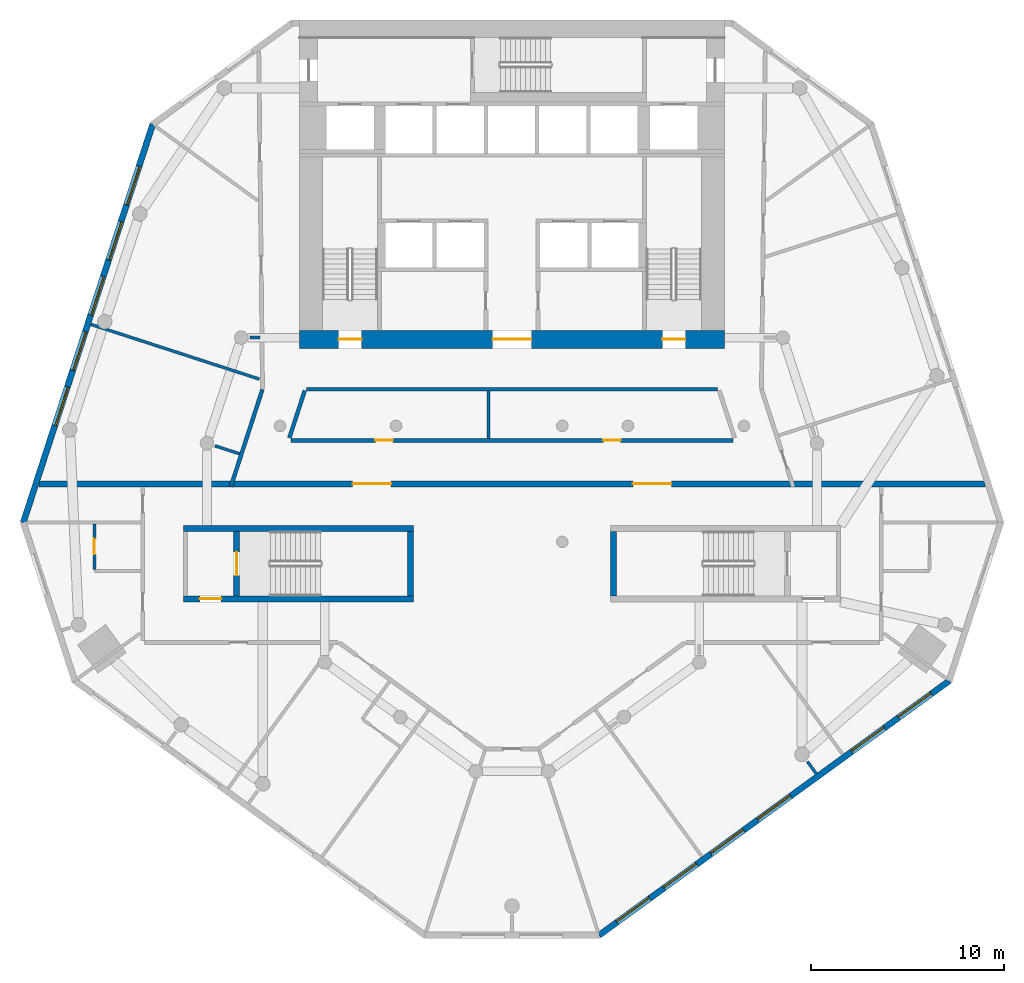
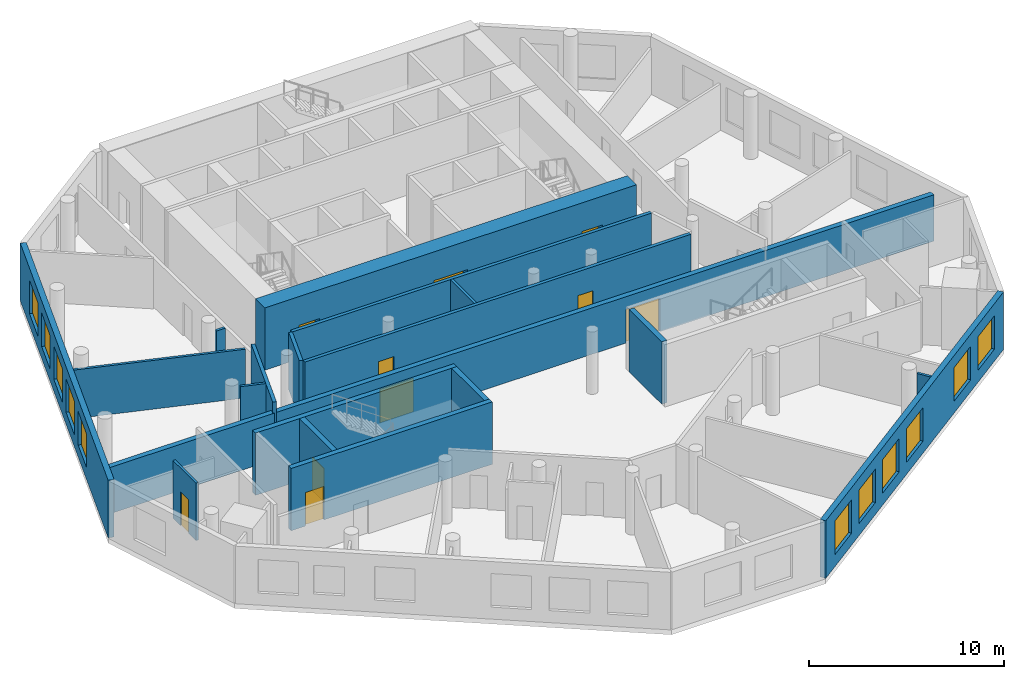
# One storey, part 3 of 8: 19 walls, 11 windows, 10 doors, 21 openings.
"""IFC4 building model written with IfcOpenShell, lengths in metres."""

from ifc_helpers import new_model, si_unit, direction, frame, frame_2d, origin, place, context, subcontext, project, spatial, rectangle, extrude, material, layer, layer_set, type_object, element, fill, save


model = new_model("IFC4")

# Units and contexts
model_context = context("Model", 3, precision=1e-05, world=origin(), true_north=direction((0.0, 1.0)))
body_context = subcontext(model_context, "Body", "Model", "MODEL_VIEW")
ifc_project = project(units=[si_unit("LENGTHUNIT", "METRE"), si_unit("AREAUNIT", "SQUARE_METRE"), si_unit("VOLUMEUNIT", "CUBIC_METRE"), si_unit("PLANEANGLEUNIT", "RADIAN"), si_unit("MASSUNIT", "GRAM", prefix="KILO")], contexts=[model_context])

# Site, building, storey
site_placement = place(None, origin())
site = spatial("IfcSite", under=ifc_project, at=site_placement, CompositionType="ELEMENT")
building_placement = place(site_placement, origin())
building = spatial("IfcBuilding", under=site, at=building_placement, Name="White Candle Pilgrim Tower", CompositionType="ELEMENT")
storey_placement = place(building_placement, frame((0.0, 0.0, 156.39990234375)))
storey = spatial("IfcBuildingStorey", under=building, at=storey_placement, Name="L35", CompositionType="ELEMENT", Elevation=156.39990234375)

# Wall
ifc_material_1 = material(Name="Gypsum board on steel studs", Category="steel")
ifc_layer_1 = layer(ifc_material_1, 0.199951171875)
ifc_layer_set_1 = layer_set([ifc_layer_1], Name="Corridor wall 200 mm EI 45")
wall_type_1 = type_object("IfcWallType", Name="Corridor wall 200 mm EI 45", PredefinedType="PARTITIONING", material=ifc_layer_set_1)
wall_1_placement = place(storey_placement, frame((55.45263671875, 63.85009765625, 0.0), z_axis=(0.0, 0.0, 1.0), x_axis=(0.309009941901, 0.951058807754, 0.0)))
element("IfcWall", 1, at=wall_1_placement, inside=storey, type_object=wall_type_1, Name="WL-L35-P002", PredefinedType="PARTITIONING", context=body_context, shape_type="SweptSolid", body=[
    extrude(rectangle(XDim=5.29345703125, YDim=0.199951171875, at=frame_2d((2.646728515625, 0.0))), origin(), (0.0, 0.0, 1.0), 3.60009765625),
])

# Wall, openings, doors
wall_2_placement = place(storey_placement, frame((58.578125, 66.25, 0.0), z_axis=(0.0, 0.0, 1.0), x_axis=(1.0, 0.0, 0.0)))
wall_2 = element("IfcWall", 2, at=wall_2_placement, inside=storey, type_object=wall_type_1, Name="WL-L35-P013", PredefinedType="PARTITIONING", context=body_context, shape_type="SweptSolid", body=[
    extrude(rectangle(XDim=22.84375, YDim=0.199951171875, at=frame_2d((11.421875, 0.0))), origin(), (0.0, 0.0, 1.0), 3.60009765625),
])
opening_1_placement = place(wall_2_placement, frame((4.359130859375, 0.0, 0.0)))
opening_1 = element("IfcOpeningElement", 3, at=opening_1_placement, cuts=wall_2, Name="Opening T10-115", PredefinedType="OPENING", context=body_context, shape_type="SweptSolid", body=[
    extrude(rectangle(XDim=0.89990234375, YDim=2.10009765625, at=frame_2d((0.449951171875, 1.050048828125))), frame((0.0, 0.10986328125, 0.0), z_axis=(0.0, -1.0, 0.0), x_axis=(1.0, 0.0, 0.0)), (0.0, 0.0, 1.0), 0.219970703125),
])
opening_2_placement = place(wall_2_placement, frame((16.1435546875, 0.0, 0.0)))
opening_2 = element("IfcOpeningElement", 4, at=opening_2_placement, cuts=wall_2, Name="Opening T10-116", PredefinedType="OPENING", context=body_context, shape_type="SweptSolid", body=[
    extrude(rectangle(XDim=0.89990234375, YDim=2.10009765625, at=frame_2d((0.449951171875, 1.050048828125))), frame((0.0, 0.10986328125, 0.0), z_axis=(0.0, -1.0, 0.0), x_axis=(1.0, 0.0, 0.0)), (0.0, 0.0, 1.0), 0.219970703125),
])
ifc_material_2 = material(Name="Steel door leaf", Category="steel")
door_type_1 = type_object("IfcDoorType", Name="Fire door 900 x 2100 EI 30", OperationType="NOTDEFINED", PredefinedType="DOOR", material=ifc_material_2)
door_1_placement = place(opening_1_placement, origin())
door_1 = element("IfcDoor", 5, at=door_1_placement, inside=storey, type_object=door_type_1, Name="Door T10-115", OperationType="SINGLE_SWING_LEFT", OverallHeight=2.10009765625, OverallWidth=0.89990234375, PredefinedType="DOOR", context=body_context, shape_type="SweptSolid", body=[
    extrude(rectangle(XDim=0.89990234375, YDim=2.10009765625, at=frame_2d((0.449951171875, 1.050048828125))), frame((0.0, 0.02490234375, 0.0), z_axis=(0.0, -1.0, 0.0), x_axis=(1.0, 0.0, 0.0)), (0.0, 0.0, 1.0), 0.050048828125),
])
fill(opening_1, door_1)
door_2_placement = place(opening_2_placement, origin())
door_2 = element("IfcDoor", 6, at=door_2_placement, inside=storey, type_object=door_type_1, Name="Door T10-116", OperationType="SINGLE_SWING_RIGHT", OverallHeight=2.10009765625, OverallWidth=0.89990234375, PredefinedType="DOOR", context=body_context, shape_type="SweptSolid", body=[
    extrude(rectangle(XDim=0.89990234375, YDim=2.10009765625, at=frame_2d((0.449951171875, 1.050048828125))), frame((0.0, 0.02490234375, 0.0), z_axis=(0.0, -1.0, 0.0), x_axis=(1.0, 0.0, 0.0)), (0.0, 0.0, 1.0), 0.050048828125),
])
fill(opening_2, door_2)

# Walls
wall_3_placement = place(storey_placement, frame((80.625732421875, 68.89990234375, 0.0), z_axis=(0.0, 0.0, 1.0), x_axis=(-1.0, 0.0, 0.0)))
element("IfcWall", 7, at=wall_3_placement, inside=storey, type_object=wall_type_1, Name="WL-L35-P015", PredefinedType="PARTITIONING", context=body_context, shape_type="SweptSolid", body=[
    extrude(rectangle(XDim=21.25146484375, YDim=0.199951171875, at=frame_2d((10.625732421875, 0.0))), origin(), (0.0, 0.0, 1.0), 3.60009765625),
])
wall_4_placement = place(storey_placement, frame((59.279052734375, 68.830810546875, 0.0), z_axis=(0.0, 0.0, 1.0), x_axis=(-0.308968203288, -0.951072368097, 0.0)))
element("IfcWall", 8, at=wall_4_placement, inside=storey, type_object=wall_type_1, Name="WL-L35-P016", PredefinedType="PARTITIONING", context=body_context, shape_type="SweptSolid", body=[
    extrude(rectangle(XDim=2.575927734375, YDim=0.199951171875, at=frame_2d((1.2880859375, 0.0))), origin(), (0.0, 0.0, 1.0), 3.60009765625),
])

# Wall, openings, windows
ifc_material_3 = material(Name="Precast concrete C40/50", Category="concrete")
ifc_layer_2 = layer(ifc_material_3, 0.320068359375)
ifc_layer_set_2 = layer_set([ifc_layer_2], Name="Facade wall EW1 precast concrete C40/50 pier wall with timber-lined reveals")
wall_type_2 = type_object("IfcWallType", Name="Facade wall EW1 precast concrete C40/50 pier wall with timber-lined reveals", PredefinedType="SOLIDWALL", material=ifc_layer_set_2)
wall_5_placement = place(storey_placement, frame((74.5068359375, 40.6513671875, 0.0), z_axis=(0.0, 0.0, 1.0), x_axis=(0.809012267685, 0.587791757968, 0.0)))
wall_5 = element("IfcWall", 9, at=wall_5_placement, inside=storey, type_object=wall_type_2, Name="Facade wall L35 SE", PredefinedType="SOLIDWALL", context=body_context, shape_type="SweptSolid", body=[
    extrude(rectangle(XDim=22.393310546875, YDim=0.320068359375, at=frame_2d((11.19677734375, 0.0))), origin(), (0.0, 0.0, 1.0), 3.60009765625),
])
opening_3_placement = place(wall_5_placement, frame((1.146484375, 0.0, 0.75)))
opening_3 = element("IfcOpeningElement", 10, at=opening_3_placement, cuts=wall_5, Name="Opening W3", PredefinedType="OPENING", context=body_context, shape_type="SweptSolid", body=[
    extrude(rectangle(XDim=2.10009765625, YDim=2.10009765625, at=frame_2d((1.050048828125, 1.050048828125))), frame((0.0, 0.169921875, 0.0), z_axis=(0.0, -1.0, 0.0), x_axis=(1.0, 0.0, 0.0)), (0.0, 0.0, 1.0), 0.340087890625),
])
opening_4_placement = place(wall_5_placement, frame((4.146484375, 0.0, 0.75)))
opening_4 = element("IfcOpeningElement", 11, at=opening_4_placement, cuts=wall_5, Name="Opening W3", PredefinedType="OPENING", context=body_context, shape_type="SweptSolid", body=[
    extrude(rectangle(XDim=2.10009765625, YDim=2.10009765625, at=frame_2d((1.050048828125, 1.050048828125))), frame((0.0, 0.169921875, 0.0), z_axis=(0.0, -1.0, 0.0), x_axis=(1.0, 0.0, 0.0)), (0.0, 0.0, 1.0), 0.340087890625),
])
opening_5_placement = place(wall_5_placement, frame((7.146484375, 0.0, 0.75)))
opening_5 = element("IfcOpeningElement", 12, at=opening_5_placement, cuts=wall_5, Name="Opening W3", PredefinedType="OPENING", context=body_context, shape_type="SweptSolid", body=[
    extrude(rectangle(XDim=2.10009765625, YDim=2.10009765625, at=frame_2d((1.050048828125, 1.050048828125))), frame((0.0, 0.169921875, 0.0), z_axis=(0.0, -1.0, 0.0), x_axis=(1.0, 0.0, 0.0)), (0.0, 0.0, 1.0), 0.340087890625),
])
opening_6_placement = place(wall_5_placement, frame((10.146484375, 0.0, 0.75)))
opening_6 = element("IfcOpeningElement", 13, at=opening_6_placement, cuts=wall_5, Name="Opening W3", PredefinedType="OPENING", context=body_context, shape_type="SweptSolid", body=[
    extrude(rectangle(XDim=2.10009765625, YDim=2.10009765625, at=frame_2d((1.050048828125, 1.050048828125))), frame((0.0, 0.169921875, 0.0), z_axis=(0.0, -1.0, 0.0), x_axis=(1.0, 0.0, 0.0)), (0.0, 0.0, 1.0), 0.340087890625),
])
opening_7_placement = place(wall_5_placement, frame((16.146484375, 0.0, 0.75)))
opening_7 = element("IfcOpeningElement", 14, at=opening_7_placement, cuts=wall_5, Name="Opening W3", PredefinedType="OPENING", context=body_context, shape_type="SweptSolid", body=[
    extrude(rectangle(XDim=2.10009765625, YDim=2.10009765625, at=frame_2d((1.050048828125, 1.050048828125))), frame((0.0, 0.169921875, 0.0), z_axis=(0.0, -1.0, 0.0), x_axis=(1.0, 0.0, 0.0)), (0.0, 0.0, 1.0), 0.340087890625),
])
opening_8_placement = place(wall_5_placement, frame((19.146484375, 0.0, 0.75)))
opening_8 = element("IfcOpeningElement", 15, at=opening_8_placement, cuts=wall_5, Name="Opening W3", PredefinedType="OPENING", context=body_context, shape_type="SweptSolid", body=[
    extrude(rectangle(XDim=2.10009765625, YDim=2.10009765625, at=frame_2d((1.050048828125, 1.050048828125))), frame((0.0, 0.169921875, 0.0), z_axis=(0.0, -1.0, 0.0), x_axis=(1.0, 0.0, 0.0)), (0.0, 0.0, 1.0), 0.340087890625),
])
ifc_material_4 = material(Name="Timber frame with triple glazing", Category="wood")
window_type = type_object("IfcWindowType", Name="Window W3 2100x2100 timber frame triple glazing", PartitioningType="SINGLE_PANEL", PredefinedType="WINDOW", material=ifc_material_4)
window_1_placement = place(opening_3_placement, origin())
window_1 = element("IfcWindow", 16, at=window_1_placement, inside=storey, type_object=window_type, Name="Window W3 L35 SE 1", OverallHeight=2.10009765625, OverallWidth=2.10009765625, PartitioningType="SINGLE_PANEL", PredefinedType="WINDOW", context=body_context, shape_type="SweptSolid", body=[
    extrude(rectangle(XDim=2.10009765625, YDim=2.10009765625, at=frame_2d((1.050048828125, 1.050048828125))), frame((0.0, 0.070068359375, 0.0), z_axis=(0.0, -1.0, 0.0), x_axis=(1.0, 0.0, 0.0)), (0.0, 0.0, 1.0), 0.06005859375),
])
fill(opening_3, window_1)
window_2_placement = place(opening_4_placement, origin())
window_2 = element("IfcWindow", 17, at=window_2_placement, inside=storey, type_object=window_type, Name="Window W3 L35 SE 2", OverallHeight=2.10009765625, OverallWidth=2.10009765625, PartitioningType="SINGLE_PANEL", PredefinedType="WINDOW", context=body_context, shape_type="SweptSolid", body=[
    extrude(rectangle(XDim=2.10009765625, YDim=2.10009765625, at=frame_2d((1.050048828125, 1.050048828125))), frame((0.0, 0.070068359375, 0.0), z_axis=(0.0, -1.0, 0.0), x_axis=(1.0, 0.0, 0.0)), (0.0, 0.0, 1.0), 0.06005859375),
])
fill(opening_4, window_2)
window_3_placement = place(opening_5_placement, origin())
window_3 = element("IfcWindow", 18, at=window_3_placement, inside=storey, type_object=window_type, Name="Window W3 L35 SE 3", OverallHeight=2.10009765625, OverallWidth=2.10009765625, PartitioningType="SINGLE_PANEL", PredefinedType="WINDOW", context=body_context, shape_type="SweptSolid", body=[
    extrude(rectangle(XDim=2.10009765625, YDim=2.10009765625, at=frame_2d((1.050048828125, 1.050048828125))), frame((0.0, 0.070068359375, 0.0), z_axis=(0.0, -1.0, 0.0), x_axis=(1.0, 0.0, 0.0)), (0.0, 0.0, 1.0), 0.06005859375),
])
fill(opening_5, window_3)
window_4_placement = place(opening_6_placement, origin())
window_4 = element("IfcWindow", 19, at=window_4_placement, inside=storey, type_object=window_type, Name="Window W3 L35 SE 4", OverallHeight=2.10009765625, OverallWidth=2.10009765625, PartitioningType="SINGLE_PANEL", PredefinedType="WINDOW", context=body_context, shape_type="SweptSolid", body=[
    extrude(rectangle(XDim=2.10009765625, YDim=2.10009765625, at=frame_2d((1.050048828125, 1.050048828125))), frame((0.0, 0.070068359375, 0.0), z_axis=(0.0, -1.0, 0.0), x_axis=(1.0, 0.0, 0.0)), (0.0, 0.0, 1.0), 0.06005859375),
])
fill(opening_6, window_4)
window_5_placement = place(opening_7_placement, origin())
window_5 = element("IfcWindow", 20, at=window_5_placement, inside=storey, type_object=window_type, Name="Window W3 L35 SE 6", OverallHeight=2.10009765625, OverallWidth=2.10009765625, PartitioningType="SINGLE_PANEL", PredefinedType="WINDOW", context=body_context, shape_type="SweptSolid", body=[
    extrude(rectangle(XDim=2.10009765625, YDim=2.10009765625, at=frame_2d((1.050048828125, 1.050048828125))), frame((0.0, 0.070068359375, 0.0), z_axis=(0.0, -1.0, 0.0), x_axis=(1.0, 0.0, 0.0)), (0.0, 0.0, 1.0), 0.06005859375),
])
fill(opening_7, window_5)
window_6_placement = place(opening_8_placement, origin())
window_6 = element("IfcWindow", 21, at=window_6_placement, inside=storey, type_object=window_type, Name="Window W3 L35 SE 7", OverallHeight=2.10009765625, OverallWidth=2.10009765625, PartitioningType="SINGLE_PANEL", PredefinedType="WINDOW", context=body_context, shape_type="SweptSolid", body=[
    extrude(rectangle(XDim=2.10009765625, YDim=2.10009765625, at=frame_2d((1.050048828125, 1.050048828125))), frame((0.0, 0.070068359375, 0.0), z_axis=(0.0, -1.0, 0.0), x_axis=(1.0, 0.0, 0.0)), (0.0, 0.0, 1.0), 0.06005859375),
])
fill(opening_8, window_6)

wall_6_placement = place(storey_placement, frame((51.41064453125, 82.605712890625, 0.0), z_axis=(0.0, 0.0, 1.0), x_axis=(-0.309020837221, -0.95105526767, 0.0)))
wall_6 = element("IfcWall", 22, at=wall_6_placement, inside=storey, type_object=wall_type_2, Name="Facade wall L35 WNW", PredefinedType="SOLIDWALL", context=body_context, shape_type="SweptSolid", body=[
    extrude(rectangle(XDim=21.663818359375, YDim=0.320068359375, at=frame_2d((10.83203125, 0.0))), origin(), (0.0, 0.0, 1.0), 3.60009765625),
])
opening_9_placement = place(wall_6_placement, frame((2.281982421875, 0.0, 0.75)))
opening_9 = element("IfcOpeningElement", 23, at=opening_9_placement, cuts=wall_6, Name="Opening W3", PredefinedType="OPENING", context=body_context, shape_type="SweptSolid", body=[
    extrude(rectangle(XDim=2.10009765625, YDim=2.10009765625, at=frame_2d((1.050048828125, 1.050048828125))), frame((0.0, 0.169921875, 0.0), z_axis=(0.0, -1.0, 0.0), x_axis=(1.0, 0.0, 0.0)), (0.0, 0.0, 1.0), 0.340087890625),
])
opening_10_placement = place(wall_6_placement, frame((5.281982421875, 0.0, 0.75)))
opening_10 = element("IfcOpeningElement", 24, at=opening_10_placement, cuts=wall_6, Name="Opening W3", PredefinedType="OPENING", context=body_context, shape_type="SweptSolid", body=[
    extrude(rectangle(XDim=2.10009765625, YDim=2.10009765625, at=frame_2d((1.050048828125, 1.050048828125))), frame((0.0, 0.169921875, 0.0), z_axis=(0.0, -1.0, 0.0), x_axis=(1.0, 0.0, 0.0)), (0.0, 0.0, 1.0), 0.340087890625),
])
opening_11_placement = place(wall_6_placement, frame((8.281982421875, 0.0, 0.75)))
opening_11 = element("IfcOpeningElement", 25, at=opening_11_placement, cuts=wall_6, Name="Opening W3", PredefinedType="OPENING", context=body_context, shape_type="SweptSolid", body=[
    extrude(rectangle(XDim=2.10009765625, YDim=2.10009765625, at=frame_2d((1.050048828125, 1.050048828125))), frame((0.0, 0.169921875, 0.0), z_axis=(0.0, -1.0, 0.0), x_axis=(1.0, 0.0, 0.0)), (0.0, 0.0, 1.0), 0.340087890625),
])
opening_12_placement = place(wall_6_placement, frame((11.281982421875, 0.0, 0.75)))
opening_12 = element("IfcOpeningElement", 26, at=opening_12_placement, cuts=wall_6, Name="Opening W3", PredefinedType="OPENING", context=body_context, shape_type="SweptSolid", body=[
    extrude(rectangle(XDim=2.10009765625, YDim=2.10009765625, at=frame_2d((1.050048828125, 1.050048828125))), frame((0.0, 0.169921875, 0.0), z_axis=(0.0, -1.0, 0.0), x_axis=(1.0, 0.0, 0.0)), (0.0, 0.0, 1.0), 0.340087890625),
])
opening_13_placement = place(wall_6_placement, frame((14.281982421875, 0.0, 0.75)))
opening_13 = element("IfcOpeningElement", 27, at=opening_13_placement, cuts=wall_6, Name="Opening W3", PredefinedType="OPENING", context=body_context, shape_type="SweptSolid", body=[
    extrude(rectangle(XDim=2.10009765625, YDim=2.10009765625, at=frame_2d((1.050048828125, 1.050048828125))), frame((0.0, 0.169921875, 0.0), z_axis=(0.0, -1.0, 0.0), x_axis=(1.0, 0.0, 0.0)), (0.0, 0.0, 1.0), 0.340087890625),
])
window_7_placement = place(opening_9_placement, origin())
window_7 = element("IfcWindow", 28, at=window_7_placement, inside=storey, type_object=window_type, Name="Window W3 L35 WNW 1", OverallHeight=2.10009765625, OverallWidth=2.10009765625, PartitioningType="SINGLE_PANEL", PredefinedType="WINDOW", context=body_context, shape_type="SweptSolid", body=[
    extrude(rectangle(XDim=2.10009765625, YDim=2.10009765625, at=frame_2d((1.050048828125, 1.050048828125))), frame((0.0, 0.070068359375, 0.0), z_axis=(0.0, -1.0, 0.0), x_axis=(1.0, 0.0, 0.0)), (0.0, 0.0, 1.0), 0.06005859375),
])
fill(opening_9, window_7)
window_8_placement = place(opening_10_placement, origin())
window_8 = element("IfcWindow", 29, at=window_8_placement, inside=storey, type_object=window_type, Name="Window W3 L35 WNW 2", OverallHeight=2.10009765625, OverallWidth=2.10009765625, PartitioningType="SINGLE_PANEL", PredefinedType="WINDOW", context=body_context, shape_type="SweptSolid", body=[
    extrude(rectangle(XDim=2.10009765625, YDim=2.10009765625, at=frame_2d((1.050048828125, 1.050048828125))), frame((0.0, 0.070068359375, 0.0), z_axis=(0.0, -1.0, 0.0), x_axis=(1.0, 0.0, 0.0)), (0.0, 0.0, 1.0), 0.06005859375),
])
fill(opening_10, window_8)
window_9_placement = place(opening_11_placement, origin())
window_9 = element("IfcWindow", 30, at=window_9_placement, inside=storey, type_object=window_type, Name="Window W3 L35 WNW 3", OverallHeight=2.10009765625, OverallWidth=2.10009765625, PartitioningType="SINGLE_PANEL", PredefinedType="WINDOW", context=body_context, shape_type="SweptSolid", body=[
    extrude(rectangle(XDim=2.10009765625, YDim=2.10009765625, at=frame_2d((1.050048828125, 1.050048828125))), frame((0.0, 0.070068359375, 0.0), z_axis=(0.0, -1.0, 0.0), x_axis=(1.0, 0.0, 0.0)), (0.0, 0.0, 1.0), 0.06005859375),
])
fill(opening_11, window_9)
window_10_placement = place(opening_12_placement, origin())
window_10 = element("IfcWindow", 31, at=window_10_placement, inside=storey, type_object=window_type, Name="Window W3 L35 WNW 4", OverallHeight=2.10009765625, OverallWidth=2.10009765625, PartitioningType="SINGLE_PANEL", PredefinedType="WINDOW", context=body_context, shape_type="SweptSolid", body=[
    extrude(rectangle(XDim=2.10009765625, YDim=2.10009765625, at=frame_2d((1.050048828125, 1.050048828125))), frame((0.0, 0.070068359375, 0.0), z_axis=(0.0, -1.0, 0.0), x_axis=(1.0, 0.0, 0.0)), (0.0, 0.0, 1.0), 0.06005859375),
])
fill(opening_12, window_10)
window_11_placement = place(opening_13_placement, origin())
window_11 = element("IfcWindow", 32, at=window_11_placement, inside=storey, type_object=window_type, Name="Window W3 L35 WNW 5", OverallHeight=2.10009765625, OverallWidth=2.10009765625, PartitioningType="SINGLE_PANEL", PredefinedType="WINDOW", context=body_context, shape_type="SweptSolid", body=[
    extrude(rectangle(XDim=2.10009765625, YDim=2.10009765625, at=frame_2d((1.050048828125, 1.050048828125))), frame((0.0, 0.070068359375, 0.0), z_axis=(0.0, -1.0, 0.0), x_axis=(1.0, 0.0, 0.0)), (0.0, 0.0, 1.0), 0.06005859375),
])
fill(opening_13, window_11)

# Wall, openings, doors
ifc_material_5 = material(Name="Aerated concrete block", Category="concrete")
ifc_layer_3 = layer(ifc_material_5, 0.300048828125)
ifc_layer_set_3 = layer_set([ifc_layer_3], Name="Fire wall 300 mm REI 240")
wall_type_3 = type_object("IfcWallType", Name="Fire wall 300 mm REI 240", PredefinedType="PARTITIONING", material=ifc_layer_set_3)
wall_7_placement = place(storey_placement, frame((45.533447265625, 64.0, 0.0), z_axis=(0.0, 0.0, 1.0), x_axis=(1.0, 0.0, 0.0)))
wall_7 = element("IfcWall", 33, at=wall_7_placement, inside=storey, type_object=wall_type_3, Name="WL-L35-P001", PredefinedType="PARTITIONING", context=body_context, shape_type="SweptSolid", body=[
    extrude(rectangle(XDim=48.93310546875, YDim=0.300048828125, at=frame_2d((24.466552734375, 0.0))), origin(), (0.0, 0.0, 1.0), 2.900146484375),
])
opening_14_placement = place(wall_7_placement, frame((16.21728515625, 0.0, 0.0)))
opening_14 = element("IfcOpeningElement", 34, at=opening_14_placement, cuts=wall_7, Name="Opening T10-113", PredefinedType="OPENING", context=body_context, shape_type="SweptSolid", body=[
    extrude(rectangle(XDim=2.0, YDim=2.10009765625, at=frame_2d((1.0, 1.050048828125))), frame((0.0, 0.159912109375, 0.0), z_axis=(0.0, -1.0, 0.0), x_axis=(1.0, 0.0, 0.0)), (0.0, 0.0, 1.0), 0.320068359375),
])
opening_15_placement = place(wall_7_placement, frame((30.7158203125, 0.0, 0.0)))
opening_15 = element("IfcOpeningElement", 35, at=opening_15_placement, cuts=wall_7, Name="Opening T10-114", PredefinedType="OPENING", context=body_context, shape_type="SweptSolid", body=[
    extrude(rectangle(XDim=2.0, YDim=2.10009765625, at=frame_2d((1.0, 1.050048828125))), frame((0.0, 0.159912109375, 0.0), z_axis=(0.0, -1.0, 0.0), x_axis=(1.0, 0.0, 0.0)), (0.0, 0.0, 1.0), 0.320068359375),
])
door_type_2 = type_object("IfcDoorType", Name="Fire door 2000 x 2100 EI 60", OperationType="NOTDEFINED", PredefinedType="DOOR", material=ifc_material_2)
door_3_placement = place(opening_14_placement, origin())
door_3 = element("IfcDoor", 36, at=door_3_placement, inside=storey, type_object=door_type_2, Name="Door T10-113", OperationType="DOUBLE_DOOR_SINGLE_SWING", OverallHeight=2.10009765625, OverallWidth=2.0, PredefinedType="DOOR", context=body_context, shape_type="SweptSolid", body=[
    extrude(rectangle(XDim=2.0, YDim=2.10009765625, at=frame_2d((1.0, 1.050048828125))), frame((0.0, 0.02490234375, 0.0), z_axis=(0.0, -1.0, 0.0), x_axis=(1.0, 0.0, 0.0)), (0.0, 0.0, 1.0), 0.050048828125),
])
fill(opening_14, door_3)
door_4_placement = place(opening_15_placement, origin())
door_4 = element("IfcDoor", 37, at=door_4_placement, inside=storey, type_object=door_type_2, Name="Door T10-114", OperationType="DOUBLE_DOOR_SINGLE_SWING", OverallHeight=2.10009765625, OverallWidth=2.0, PredefinedType="DOOR", context=body_context, shape_type="SweptSolid", body=[
    extrude(rectangle(XDim=2.0, YDim=2.10009765625, at=frame_2d((1.0, 1.050048828125))), frame((0.0, 0.02490234375, 0.0), z_axis=(0.0, -1.0, 0.0), x_axis=(1.0, 0.0, 0.0)), (0.0, 0.0, 1.0), 0.050048828125),
])
fill(opening_15, door_4)

# Wall
ifc_layer_4 = layer(ifc_material_1, 0.14990234375)
ifc_layer_set_4 = layer_set([ifc_layer_4], Name="Partition 150 mm EI 60")
wall_type_4 = type_object("IfcWallType", Name="Partition 150 mm EI 60", PredefinedType="PARTITIONING", material=ifc_layer_set_4)
wall_8_placement = place(storey_placement, frame((48.215576171875, 72.25439453125, 0.0), z_axis=(0.0, 0.0, 1.0), x_axis=(0.951059353681, -0.309008261662, 0.0)))
element("IfcWall", 38, at=wall_8_placement, inside=storey, type_object=wall_type_4, Name="WL-L35-P025", PredefinedType="PARTITIONING", context=body_context, shape_type="SweptSolid", body=[
    extrude(rectangle(XDim=9.15234375, YDim=0.14990234375, at=frame_2d((4.576171875, 0.0))), origin(), (0.0, 0.0, 1.0), 3.050048828125),
])

# Wall, opening, door
wall_9_placement = place(storey_placement, frame((48.39990234375, 61.92724609375, 0.0), z_axis=(0.0, 0.0, 1.0), x_axis=(0.0, -1.0, 0.0)))
wall_9 = element("IfcWall", 39, at=wall_9_placement, inside=storey, type_object=wall_type_4, Name="WL-L35-P027", PredefinedType="PARTITIONING", context=body_context, shape_type="SweptSolid", body=[
    extrude(rectangle(XDim=2.35009765625, YDim=0.14990234375, at=frame_2d((1.175048828125, 0.0))), origin(), (0.0, 0.0, 1.0), 3.60009765625),
])
opening_16_placement = place(wall_9_placement, frame((0.77490234375, 0.0, 0.0)))
opening_16 = element("IfcOpeningElement", 40, at=opening_16_placement, cuts=wall_9, Name="Opening T10-101", PredefinedType="OPENING", context=body_context, shape_type="SweptSolid", body=[
    extrude(rectangle(XDim=0.800048828125, YDim=2.10009765625, at=frame_2d((0.39990234375, 1.050048828125))), frame((0.0, 0.0849609375, 0.0), z_axis=(0.0, -1.0, 0.0), x_axis=(1.0, 0.0, 0.0)), (0.0, 0.0, 1.0), 0.169921875),
])
door_type_3 = type_object("IfcDoorType", Name="Fire door 800 x 2100 EI 30", OperationType="NOTDEFINED", PredefinedType="DOOR", material=ifc_material_2)
door_5_placement = place(opening_16_placement, frame((0.800048828125, 0.0, 0.0), z_axis=(0.0, 0.0, 1.0), x_axis=(-1.0, 0.0, 0.0)))
door_5 = element("IfcDoor", 41, at=door_5_placement, inside=storey, type_object=door_type_3, Name="Door T10-101", OperationType="SINGLE_SWING_RIGHT", OverallHeight=2.10009765625, OverallWidth=0.800048828125, PredefinedType="DOOR", context=body_context, shape_type="SweptSolid", body=[
    extrude(rectangle(XDim=0.800048828125, YDim=2.10009765625, at=frame_2d((0.39990234375, 1.050048828125))), frame((0.0, 0.02490234375, 0.0), z_axis=(0.0, -1.0, 0.0), x_axis=(1.0, 0.0, 0.0)), (0.0, 0.0, 1.0), 0.050048828125),
])
fill(opening_16, door_5)

# Walls
wall_10_placement = place(storey_placement, frame((68.7841796875, 66.35009765625, 0.0), z_axis=(0.0, 0.0, 1.0), x_axis=(0.0, 1.0, 0.0)))
element("IfcWall", 42, at=wall_10_placement, inside=storey, type_object=wall_type_4, Name="WL-L35-P038", PredefinedType="PARTITIONING", context=body_context, shape_type="SweptSolid", body=[
    extrude(rectangle(XDim=2.449951171875, YDim=0.14990234375, at=frame_2d((1.22509765625, 0.0))), origin(), (0.0, 0.0, 1.0), 3.60009765625),
])
wall_11_placement = place(storey_placement, frame((85.28076171875, 49.639404296875, 0.0), z_axis=(0.0, 0.0, 1.0), x_axis=(0.587892016581, -0.808939414815, 0.0)))
element("IfcWall", 43, at=wall_11_placement, inside=storey, type_object=wall_type_4, Name="WL-L35-P043", PredefinedType="PARTITIONING", context=body_context, shape_type="SweptSolid", body=[
    extrude(rectangle(XDim=0.778564453125, YDim=0.14990234375, at=frame_2d((0.38916015625, 0.0))), origin(), (0.0, 0.0, 1.0), 3.60009765625),
])
wall_12_placement = place(storey_placement, frame((56.43994140625, 71.572509765625, 0.0), z_axis=(0.0, 0.0, 1.0), x_axis=(0.99993746944, 0.011182898074, 0.0)))
element("IfcWall", 44, at=wall_12_placement, inside=storey, type_object=wall_type_4, Name="WL-L35-P049", PredefinedType="PARTITIONING", context=body_context, shape_type="SweptSolid", body=[
    extrude(rectangle(XDim=0.52392578125, YDim=0.14990234375, at=frame_2d((0.261962890625, 0.0))), origin(), (0.0, 0.0, 1.0), 3.050048828125),
])
wall_13_placement = place(storey_placement, frame((54.637451171875, 65.970947265625, 0.0), z_axis=(0.0, 0.0, 1.0), x_axis=(0.951077203056, -0.30895331982, 0.0)))
element("IfcWall", 45, at=wall_13_placement, inside=storey, type_object=wall_type_4, Name="WL-L35-P050", PredefinedType="PARTITIONING", context=body_context, shape_type="SweptSolid", body=[
    extrude(rectangle(XDim=1.330810546875, YDim=0.14990234375, at=frame_2d((0.66552734375, 0.0))), origin(), (0.0, 0.0, 1.0), 3.60009765625),
])

# Wall, opening, door
ifc_material_6 = material(Name="Concrete C60/75", Category="concrete")
ifc_layer_5 = layer(ifc_material_6, 0.300048828125)
ifc_layer_set_5 = layer_set([ifc_layer_5], Name="Stair shaft wall 300 mm Concrete C60/75")
wall_type_5 = type_object("IfcWallType", Name="Stair shaft wall 300 mm Concrete C60/75", PredefinedType="SHEAR", material=ifc_layer_set_5)
wall_14_placement = place(storey_placement, frame((53.0, 58.050048828125, 0.0), z_axis=(0.0, 0.0, 1.0), x_axis=(1.0, 0.0, 0.0)))
wall_14 = element("IfcWall", 46, at=wall_14_placement, inside=storey, type_object=wall_type_5, Name="WL-L35-C01", PredefinedType="SHEAR", context=body_context, shape_type="SweptSolid", body=[
    extrude(rectangle(XDim=11.89990234375, YDim=0.300048828125, at=frame_2d((5.949951171875, 0.0))), origin(), (0.0, 0.0, 1.0), 3.900146484375),
])
opening_17_placement = place(wall_14_placement, frame((0.85009765625, 0.0, 0.0)))
opening_17 = element("IfcOpeningElement", 47, at=opening_17_placement, cuts=wall_14, Name="Opening T10-009", PredefinedType="OPENING", context=body_context, shape_type="SweptSolid", body=[
    extrude(rectangle(XDim=1.10009765625, YDim=2.10009765625, at=frame_2d((0.550048828125, 1.050048828125))), frame((0.0, 0.159912109375, 0.0), z_axis=(0.0, -1.0, 0.0), x_axis=(1.0, 0.0, 0.0)), (0.0, 0.0, 1.0), 0.320068359375),
])
door_type_4 = type_object("IfcDoorType", Name="Fire door 1100 x 2100 EI 60", OperationType="NOTDEFINED", PredefinedType="DOOR", material=ifc_material_2)
door_6_placement = place(opening_17_placement, origin())
door_6 = element("IfcDoor", 48, at=door_6_placement, inside=storey, type_object=door_type_4, Name="Door T10-009", OperationType="SINGLE_SWING_LEFT", OverallHeight=2.10009765625, OverallWidth=1.10009765625, PredefinedType="DOOR", context=body_context, shape_type="SweptSolid", body=[
    extrude(rectangle(XDim=1.10009765625, YDim=2.10009765625, at=frame_2d((0.550048828125, 1.050048828125))), frame((0.0, 0.02490234375, 0.0), z_axis=(0.0, -1.0, 0.0), x_axis=(1.0, 0.0, 0.0)), (0.0, 0.0, 1.0), 0.050048828125),
])
fill(opening_17, door_6)

wall_15_placement = place(storey_placement, frame((55.75, 58.199951171875, 0.0), z_axis=(0.0, 0.0, 1.0), x_axis=(0.0, 1.0, 0.0)))
wall_15 = element("IfcWall", 49, at=wall_15_placement, inside=storey, type_object=wall_type_5, Name="WL-L35-C04", PredefinedType="SHEAR", context=body_context, shape_type="SweptSolid", body=[
    extrude(rectangle(XDim=3.35009765625, YDim=0.300048828125, at=frame_2d((1.675048828125, 0.0))), origin(), (0.0, 0.0, 1.0), 3.900146484375),
])
opening_18_placement = place(wall_15_placement, frame((1.074951171875, 0.0, 0.0)))
opening_18 = element("IfcOpeningElement", 50, at=opening_18_placement, cuts=wall_15, Name="Opening T10-010", PredefinedType="OPENING", context=body_context, shape_type="SweptSolid", body=[
    extrude(rectangle(XDim=1.199951171875, YDim=2.10009765625, at=frame_2d((0.60009765625, 1.050048828125))), frame((0.0, 0.159912109375, 0.0), z_axis=(0.0, -1.0, 0.0), x_axis=(1.0, 0.0, 0.0)), (0.0, 0.0, 1.0), 0.320068359375),
])
door_type_5 = type_object("IfcDoorType", Name="Fire door 1200 x 2100 EI 60", OperationType="NOTDEFINED", PredefinedType="DOOR", material=ifc_material_2)
door_7_placement = place(opening_18_placement, frame((1.199951171875, 0.0, 0.0), z_axis=(0.0, 0.0, 1.0), x_axis=(-1.0, 0.0, 0.0)))
door_7 = element("IfcDoor", 51, at=door_7_placement, inside=storey, type_object=door_type_5, Name="Door T10-010", OperationType="SINGLE_SWING_LEFT", OverallHeight=2.10009765625, OverallWidth=1.199951171875, PredefinedType="DOOR", context=body_context, shape_type="SweptSolid", body=[
    extrude(rectangle(XDim=1.199951171875, YDim=2.10009765625, at=frame_2d((0.60009765625, 1.050048828125))), frame((0.0, 0.02490234375, 0.0), z_axis=(0.0, -1.0, 0.0), x_axis=(1.0, 0.0, 0.0)), (0.0, 0.0, 1.0), 0.050048828125),
])
fill(opening_18, door_7)

# Walls
for number, where, z_axis, x_axis, name in (
    (52, (64.75, 58.199951171875, 0.0), (0.0, 0.0, 1.0), (0.0, 1.0, 0.0), "WL-L35-C05"),
    (53, (75.25, 58.199951171875, 0.0), (0.0, 0.0, 1.0), (0.0, 1.0, 0.0), "WL-L35-C06"),
):
    element("IfcWall", number, at=place(storey_placement, frame(where, z_axis=z_axis, x_axis=x_axis)), inside=storey, type_object=wall_type_5, Name=name, PredefinedType="SHEAR", context=body_context, shape_type="SweptSolid", body=[
        extrude(rectangle(XDim=3.35009765625, YDim=0.300048828125, at=frame_2d((1.675048828125, 0.0))), origin(), (0.0, 0.0, 1.0), 3.900146484375),
    ])
wall_16_placement = place(storey_placement, frame((53.0, 61.699951171875, 0.0), z_axis=(0.0, 0.0, 1.0), x_axis=(1.0, 0.0, 0.0)))
element("IfcWall", 54, at=wall_16_placement, inside=storey, type_object=wall_type_5, Name="WL-L35-C09", PredefinedType="SHEAR", context=body_context, shape_type="SweptSolid", body=[
    extrude(rectangle(XDim=11.89990234375, YDim=0.300048828125, at=frame_2d((5.949951171875, 0.0))), origin(), (0.0, 0.0, 1.0), 3.900146484375),
])

# Wall, openings, doors
ifc_layer_6 = layer(ifc_material_6, 0.949951171875)
ifc_layer_set_6 = layer_set([ifc_layer_6], Name="Stair shaft wall 950 mm Concrete C60/75")
wall_type_6 = type_object("IfcWallType", Name="Stair shaft wall 950 mm Concrete C60/75", PredefinedType="SHEAR", material=ifc_layer_set_6)
wall_17_placement = place(storey_placement, frame((59.0, 71.47509765625, 0.0), z_axis=(0.0, 0.0, 1.0), x_axis=(1.0, 0.0, 0.0)))
wall_17 = element("IfcWall", 55, at=wall_17_placement, inside=storey, type_object=wall_type_6, Name="WL-L35-C11", PredefinedType="SHEAR", context=body_context, shape_type="SweptSolid", body=[
    extrude(rectangle(XDim=22.0, YDim=0.949951171875, at=frame_2d((11.0, 0.0))), origin(), (0.0, 0.0, 1.0), 3.900146484375),
])
opening_19_placement = place(wall_17_placement, frame((2.02490234375, 0.0, 0.0)))
opening_19 = element("IfcOpeningElement", 56, at=opening_19_placement, cuts=wall_17, Name="Opening T10-001", PredefinedType="OPENING", context=body_context, shape_type="SweptSolid", body=[
    extrude(rectangle(XDim=1.199951171875, YDim=2.10009765625, at=frame_2d((0.60009765625, 1.050048828125))), frame((0.0, 0.48486328125, 0.0), z_axis=(0.0, -1.0, 0.0), x_axis=(1.0, 0.0, 0.0)), (0.0, 0.0, 1.0), 0.969970703125),
])
opening_20_placement = place(wall_17_placement, frame((18.77490234375, 0.0, 0.0)))
opening_20 = element("IfcOpeningElement", 57, at=opening_20_placement, cuts=wall_17, Name="Opening T10-002", PredefinedType="OPENING", context=body_context, shape_type="SweptSolid", body=[
    extrude(rectangle(XDim=1.199951171875, YDim=2.10009765625, at=frame_2d((0.60009765625, 1.050048828125))), frame((0.0, 0.48486328125, 0.0), z_axis=(0.0, -1.0, 0.0), x_axis=(1.0, 0.0, 0.0)), (0.0, 0.0, 1.0), 0.969970703125),
])
opening_21_placement = place(wall_17_placement, frame((10.0, 0.0, 0.0)))
opening_21 = element("IfcOpeningElement", 58, at=opening_21_placement, cuts=wall_17, Name="Opening T10-004", PredefinedType="OPENING", context=body_context, shape_type="SweptSolid", body=[
    extrude(rectangle(XDim=2.0, YDim=2.10009765625, at=frame_2d((1.0, 1.050048828125))), frame((0.0, 0.48486328125, 0.0), z_axis=(0.0, -1.0, 0.0), x_axis=(1.0, 0.0, 0.0)), (0.0, 0.0, 1.0), 0.969970703125),
])
door_8_placement = place(opening_19_placement, frame((1.199951171875, 0.0, 0.0), z_axis=(0.0, 0.0, 1.0), x_axis=(-1.0, 0.0, 0.0)))
door_8 = element("IfcDoor", 59, at=door_8_placement, inside=storey, type_object=door_type_5, Name="Door T10-001", OperationType="SINGLE_SWING_RIGHT", OverallHeight=2.10009765625, OverallWidth=1.199951171875, PredefinedType="DOOR", context=body_context, shape_type="SweptSolid", body=[
    extrude(rectangle(XDim=1.199951171875, YDim=2.10009765625, at=frame_2d((0.60009765625, 1.050048828125))), frame((0.0, 0.02490234375, 0.0), z_axis=(0.0, -1.0, 0.0), x_axis=(1.0, 0.0, 0.0)), (0.0, 0.0, 1.0), 0.050048828125),
])
fill(opening_19, door_8)
door_9_placement = place(opening_20_placement, frame((1.199951171875, 0.0, 0.0), z_axis=(0.0, 0.0, 1.0), x_axis=(-1.0, 0.0, 0.0)))
door_9 = element("IfcDoor", 60, at=door_9_placement, inside=storey, type_object=door_type_5, Name="Door T10-002", OperationType="SINGLE_SWING_LEFT", OverallHeight=2.10009765625, OverallWidth=1.199951171875, PredefinedType="DOOR", context=body_context, shape_type="SweptSolid", body=[
    extrude(rectangle(XDim=1.199951171875, YDim=2.10009765625, at=frame_2d((0.60009765625, 1.050048828125))), frame((0.0, 0.02490234375, 0.0), z_axis=(0.0, -1.0, 0.0), x_axis=(1.0, 0.0, 0.0)), (0.0, 0.0, 1.0), 0.050048828125),
])
fill(opening_20, door_9)
door_10_placement = place(opening_21_placement, frame((2.0, 0.0, 0.0), z_axis=(0.0, 0.0, 1.0), x_axis=(-1.0, 0.0, 0.0)))
door_10 = element("IfcDoor", 61, at=door_10_placement, inside=storey, type_object=door_type_2, Name="Door T10-004", OperationType="DOUBLE_DOOR_SINGLE_SWING", OverallHeight=2.10009765625, OverallWidth=2.0, PredefinedType="DOOR", context=body_context, shape_type="SweptSolid", body=[
    extrude(rectangle(XDim=2.0, YDim=2.10009765625, at=frame_2d((1.0, 1.050048828125))), frame((0.0, 0.02490234375, 0.0), z_axis=(0.0, -1.0, 0.0), x_axis=(1.0, 0.0, 0.0)), (0.0, 0.0, 1.0), 0.050048828125),
])
fill(opening_21, door_10)

save(model, "model.ifc")
